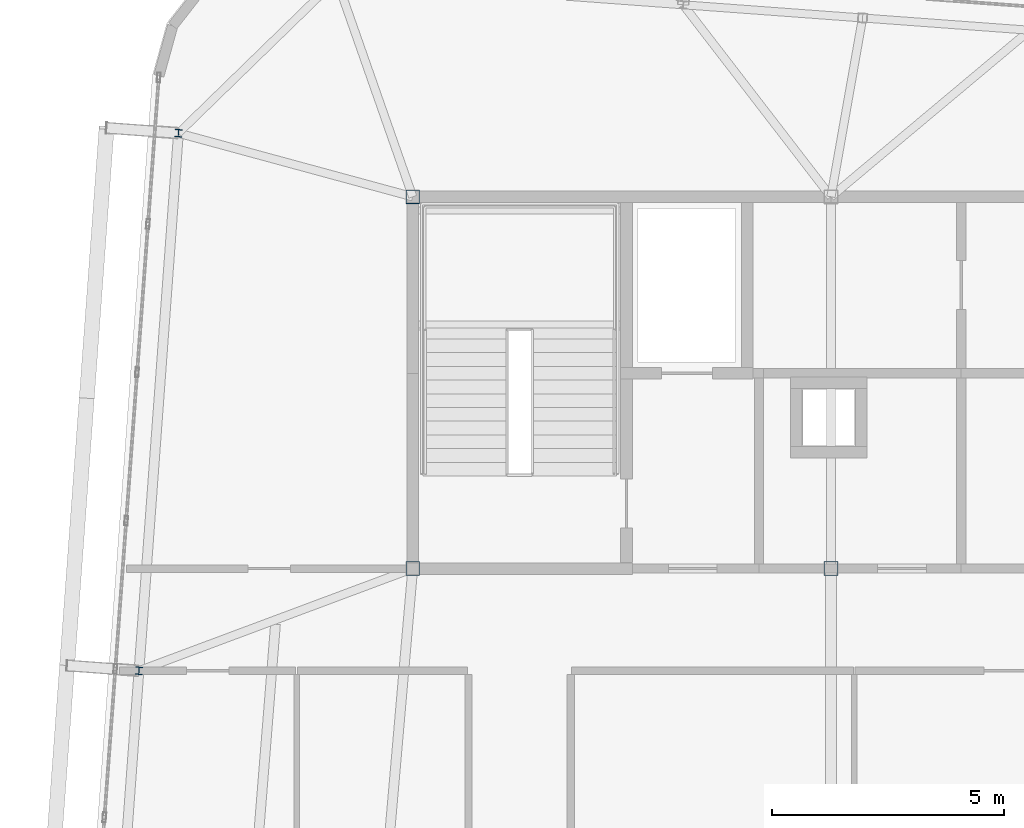
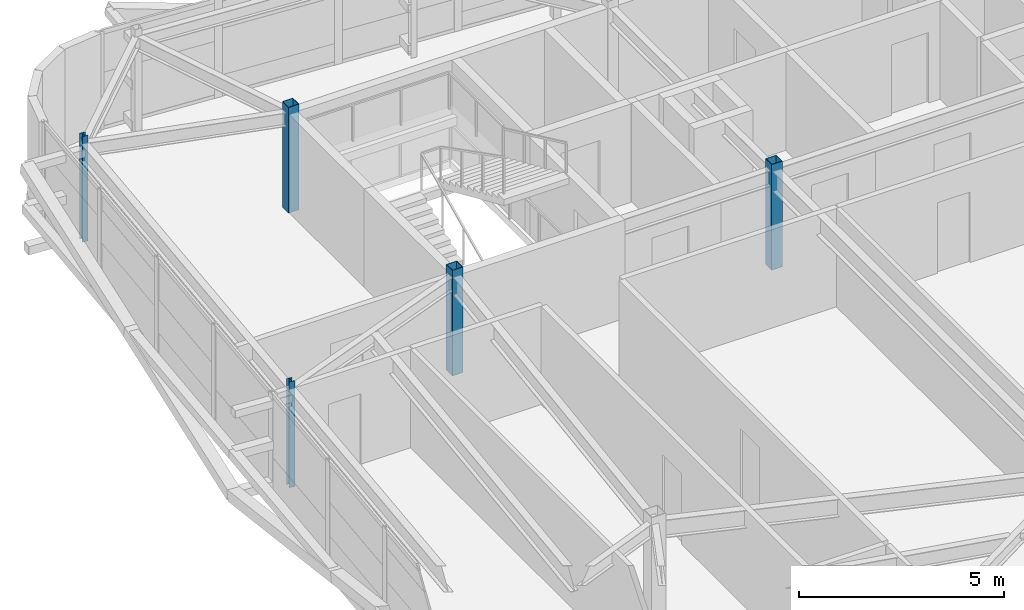
# One storey, part 3 of 42: 5 columns.
"""IFC4 building model written with IfcOpenShell, lengths in metres."""

from ifc_helpers import new_model, si_unit, direction, frame, origin, origin_2d, place, context, subcontext, project, spatial, hollow_rectangle, i_section, extrude, source, transform, mapped, material, material_profile, profile_set, type_object, element, save


model = new_model("IFC4")

# Units and contexts
model_context = context("Model", 3, precision=1e-05, world=origin(), true_north=direction((0.0, 1.0)))
body_context = subcontext(model_context, "Body", "Model", "MODEL_VIEW")
ifc_project = project(units=[si_unit("LENGTHUNIT", "METRE"), si_unit("AREAUNIT", "SQUARE_METRE"), si_unit("VOLUMEUNIT", "CUBIC_METRE"), si_unit("PLANEANGLEUNIT", "RADIAN"), si_unit("MASSUNIT", "GRAM", prefix="KILO")], contexts=[model_context])

# Site, building, storey
site_placement = place(None, origin())
site = spatial("IfcSite", under=ifc_project, at=site_placement, CompositionType="ELEMENT")
building_placement = place(site_placement, origin())
building = spatial("IfcBuilding", under=site, at=building_placement, Name="Taldren Reach Tower", CompositionType="ELEMENT")
storey_placement = place(building_placement, frame((0.0, 0.0, 214.550048828125)))
storey = spatial("IfcBuildingStorey", under=building, at=storey_placement, Name="L65", CompositionType="ELEMENT", Elevation=214.550048828125)

# Columns
ifc_material_1 = material(Name="Steel Gr 450 (C450L0)", Category="steel")
ifc_material_profile_1 = material_profile(ifc_material_1, hollow_rectangle(XDim=0.300048828125, YDim=0.300048828125, WallThickness=0.012451171875, at=origin_2d()), Name="300x300x12.5SHS")
ifc_profile_set_1 = profile_set([ifc_material_profile_1], Name="Steel Gr 450 (C450L0)")
column_type_1 = type_object("IfcColumnType", Name="COL-SHS300", PredefinedType="COLUMN", material=ifc_profile_set_1)
shared_shape_1 = source(origin(), body_context, "Body", "SweptSolid", [
    extrude(hollow_rectangle(XDim=0.300048828125, YDim=0.300048828125, WallThickness=0.012451171875, at=origin_2d()), origin(), (0.0, 0.0, 1.0), 3.14990234375),
])
for number, where, z_axis, x_axis, name in (
    (1, (19.0, 24.0, 0.0), (0.0, 0.0, 1.0), (1.0, 0.0, 0.0), "Mega column MC-C1 L65"),
    (2, (28.0, 24.0, 0.0), (0.0, 0.0, 1.0), (1.0, 0.0, 0.0), "Mega column MC-C2 L65"),
    (3, (19.0, 32.0, 0.0), (0.0, 0.0, 1.0), (1.0, 0.0, 0.0), "Mega column MC-C5 L65"),
):
    element("IfcColumn", number, at=place(storey_placement, frame(where, z_axis=z_axis, x_axis=x_axis)), inside=storey, type_object=column_type_1, Name=name, PredefinedType="COLUMN", context=body_context, shape_type="MappedRepresentation", body=[
        mapped(shared_shape_1, transform((0.0, 0.0, 0.0), scale=1.0)),
    ])
ifc_material_2 = material(Name="Steel Gr 350 (350PLUS)", Category="steel")
ifc_material_profile_2 = material_profile(ifc_material_2, i_section(OverallWidth=0.154052734375, OverallDepth=0.162109375, WebThickness=0.008056640625, FlangeThickness=0.011474609375, at=origin_2d()), Name="150UC37.2")
ifc_profile_set_2 = profile_set([ifc_material_profile_2], Name="Steel Gr 350 (350PLUS)")
column_type_2 = type_object("IfcColumnType", Name="COL-UC150", PredefinedType="COLUMN", material=ifc_profile_set_2)
shared_shape_2 = source(origin(), body_context, "Body", "SweptSolid", [
    extrude(i_section(OverallWidth=0.154052734375, OverallDepth=0.162109375, WebThickness=0.008056640625, FlangeThickness=0.011474609375, at=origin_2d()), origin(), (0.0, 0.0, 1.0), 3.14990234375),
])
for number, where, z_axis, x_axis, name in (
    (4, (13.108642578125, 21.80029296875, 0.0), (0.0, 0.0, 1.0), (0.997314477224, -0.073238197128, 0.0), "Block B5 perimeter column W2 L65"),
    (5, (13.958251953125, 33.369140625, 0.0), (0.0, 0.0, 1.0), (0.997314477224, -0.073238197128, 0.0), "Block B5 perimeter column W3 L65"),
):
    element("IfcColumn", number, at=place(storey_placement, frame(where, z_axis=z_axis, x_axis=x_axis)), inside=storey, type_object=column_type_2, Name=name, PredefinedType="COLUMN", context=body_context, shape_type="MappedRepresentation", body=[
        mapped(shared_shape_2, transform((0.0, 0.0, 0.0), scale=1.0)),
    ])

save(model, "model.ifc")
